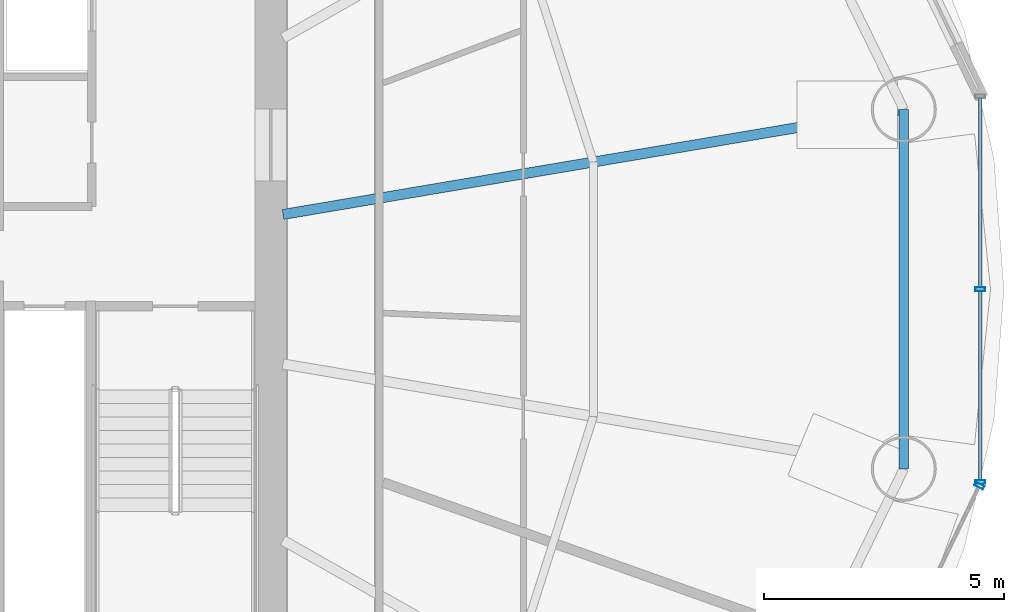
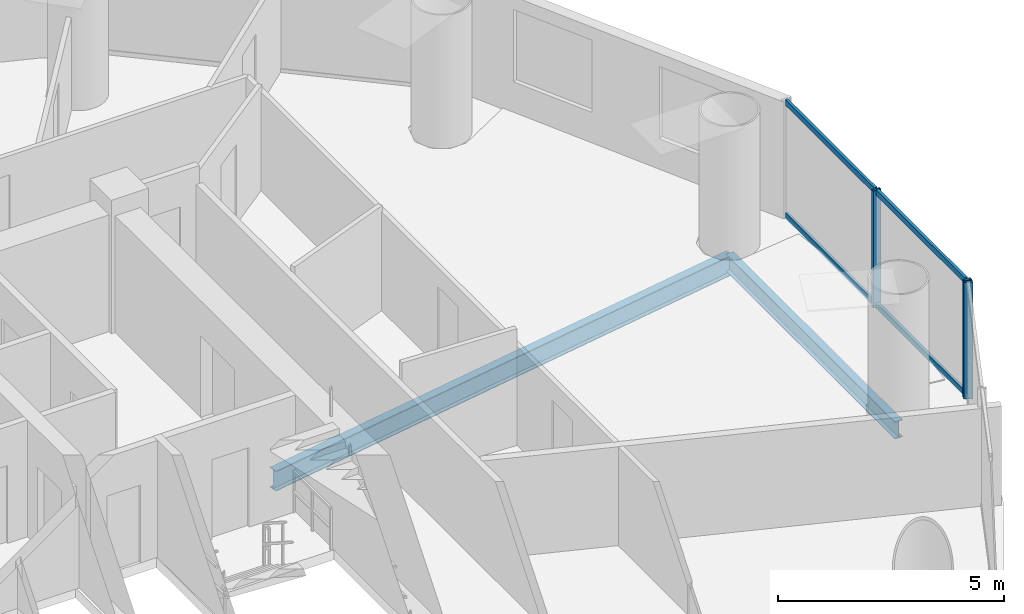
# One storey, part 12 of 26: 7 members, 2 beams, 2 elements without a shape of their own.
"""IFC4 building model written with IfcOpenShell, lengths in metres."""

from ifc_helpers import new_model, si_unit, direction, frame, origin, origin_2d, place, context, subcontext, project, spatial, hollow_rectangle, i_section, extrude, source, transform, mapped, material, material_profile, profile_set, type_object, element, aggregate, save


model = new_model("IFC4")

# Units and contexts
model_context = context("Model", 3, precision=1e-05, world=origin(), true_north=direction((-0.2419218956, 0.970295726276)))
body_context = subcontext(model_context, "Body", "Model", "MODEL_VIEW")
ifc_project = project(units=[si_unit("LENGTHUNIT", "METRE"), si_unit("AREAUNIT", "SQUARE_METRE"), si_unit("VOLUMEUNIT", "CUBIC_METRE"), si_unit("PLANEANGLEUNIT", "RADIAN"), si_unit("MASSUNIT", "GRAM", prefix="KILO")], contexts=[model_context])

# Site, building, storey
site_placement = place(None, origin())
site = spatial("IfcSite", under=ifc_project, at=site_placement, CompositionType="ELEMENT")
building_placement = place(site_placement, origin())
building = spatial("IfcBuilding", under=site, at=building_placement, Name="Cobrevalo Terracotta Tower", CompositionType="ELEMENT")
storey_placement = place(building_placement, frame((0.0, 0.0, 182.199951171875)))
storey = spatial("IfcBuildingStorey", under=building, at=storey_placement, Name="L48", CompositionType="ELEMENT", Elevation=182.199951171875)

# Beams
ifc_material_1 = material(Name="Steel S355", Category="steel")
ifc_material_profile_1 = material_profile(ifc_material_1, i_section(OverallWidth=0.2109375, OverallDepth=0.5390625, WebThickness=0.01171875, FlangeThickness=0.018798828125, at=origin_2d()), Name="W 530x109")
ifc_profile_set_1 = profile_set([ifc_material_profile_1], Name="Steel S355")
beam_type_1 = type_object("IfcBeamType", Name="Structural Beam W 530x109 (Steel S355)", PredefinedType="BEAM", material=ifc_profile_set_1)
beam_1_placement = place(storey_placement, frame((60.11669921875, 30.535888671875, -0.53955078125), z_axis=(-0.986032794282, -0.166551279191, 0.0), x_axis=(0.166551279191, -0.986032794282, 0.0)))
element("IfcBeam", 1, at=beam_1_placement, inside=storey, type_object=beam_type_1, Name="L48 radial floor girder 01", PredefinedType="BEAM", context=body_context, shape_type="SweptSolid", body=[
    extrude(i_section(OverallWidth=0.2109375, OverallDepth=0.5390625, WebThickness=0.01171875, FlangeThickness=0.018798828125, at=origin_2d()), origin(), (0.0, 0.0, 1.0), 13.094482421875),
])
ifc_material_profile_2 = material_profile(ifc_material_1, i_section(OverallWidth=0.194091796875, OverallDepth=0.468994140625, WebThickness=0.011474609375, FlangeThickness=0.0205078125, at=origin_2d()), Name="W 460x106")
ifc_profile_set_2 = profile_set([ifc_material_profile_2], Name="Steel S355")
beam_type_2 = type_object("IfcBeamType", Name="Structural Spandrel W 460x106 (Steel S355)", PredefinedType="SPANDREL", material=ifc_profile_set_2)
beam_2_placement = place(storey_placement, frame((60.11669921875, 23.06396484375, -0.50439453125), z_axis=(0.0, 1.0, 0.0), x_axis=(-1.0, 0.0, 0.0)))
element("IfcBeam", 2, at=beam_2_placement, inside=storey, type_object=beam_type_2, Name="L48 perimeter ring spandrel 16", PredefinedType="SPANDREL", context=body_context, shape_type="SweptSolid", body=[
    extrude(i_section(OverallWidth=0.194091796875, OverallDepth=0.468994140625, WebThickness=0.011474609375, FlangeThickness=0.0205078125, at=origin_2d()), origin(), (0.0, 0.0, 1.0), 7.471923828125),
])

# Curtain wall, members
ifc_material_2 = material(Name="Anodized aluminium", Category="aluminium")
curtain_wall_type = type_object("IfcCurtainWallType", Name="Mid-tower high-wind unitised curtain wall CW-U2", PredefinedType="NOTDEFINED", material=ifc_material_2)
curtain_wall_1_placement = place(storey_placement, origin())
curtain_wall_1 = element("IfcCurtainWall", 3, at=curtain_wall_1_placement, inside=storey, type_object=curtain_wall_type, Name="L48 curtain wall CW-L48-S16", PredefinedType="NOTDEFINED")
ifc_material_profile_3 = material_profile(ifc_material_2, hollow_rectangle(XDim=0.074951171875, YDim=0.14990234375, WallThickness=0.00439453125, at=origin_2d()), Name="CWT 75x150")
ifc_profile_set_3 = profile_set([ifc_material_profile_3], Name="Anodized aluminium")
member_type_1 = type_object("IfcMemberType", Name="Tower unitised aluminium transom 75x150", PredefinedType="USERDEFINED", material=ifc_profile_set_3)
shared_shape_1 = source(origin(), body_context, "Body", "SweptSolid", [
    extrude(hollow_rectangle(XDim=0.074951171875, YDim=0.14990234375, WallThickness=0.00439453125, at=origin_2d()), origin(), (0.0, 0.0, 1.0), 3.931884765625),
])
member_1_placement = place(storey_placement, frame((61.70556640625, 26.840087890625, 0.050048828125), z_axis=(0.0, 1.0, 0.0), x_axis=(-1.0, 0.0, 0.0)))
member_1 = element("IfcMember", 4, at=member_1_placement, type_object=member_type_1, Name="CW-L48-S16 transom B02-T1", ObjectType="TRANSOM", PredefinedType="USERDEFINED", context=body_context, shape_type="MappedRepresentation", body=[
    mapped(shared_shape_1, transform((0.0, 0.0, 0.0), scale=1.0)),
])
member_2_placement = place(storey_placement, frame((61.70556640625, 26.840087890625, 3.10009765625), z_axis=(0.0, 1.0, 0.0), x_axis=(-1.0, 0.0, 0.0)))
member_2 = element("IfcMember", 5, at=member_2_placement, type_object=member_type_1, Name="CW-L48-S16 transom B02-T2", ObjectType="TRANSOM", PredefinedType="USERDEFINED", context=body_context, shape_type="MappedRepresentation", body=[
    mapped(shared_shape_1, transform((0.0, 0.0, 0.0), scale=1.0)),
])
shared_shape_2 = source(origin(), body_context, "Body", "SweptSolid", [
    extrude(hollow_rectangle(XDim=0.074951171875, YDim=0.14990234375, WallThickness=0.00439453125, at=origin_2d()), origin(), (0.0, 0.0, 1.0), 3.93212890625),
])
member_3_placement = place(storey_placement, frame((61.70556640625, 22.827880859375, 0.050048828125), z_axis=(0.0, 1.0, 0.0), x_axis=(-1.0, 0.0, 0.0)))
member_3 = element("IfcMember", 6, at=member_3_placement, type_object=member_type_1, Name="CW-L48-S16 transom B01-T1", ObjectType="TRANSOM", PredefinedType="USERDEFINED", context=body_context, shape_type="MappedRepresentation", body=[
    mapped(shared_shape_2, transform((0.0, 0.0, 0.0), scale=1.0)),
])
member_4_placement = place(storey_placement, frame((61.70556640625, 22.827880859375, 3.10009765625), z_axis=(0.0, 1.0, 0.0), x_axis=(-1.0, 0.0, 0.0)))
member_4 = element("IfcMember", 7, at=member_4_placement, type_object=member_type_1, Name="CW-L48-S16 transom B01-T2", ObjectType="TRANSOM", PredefinedType="USERDEFINED", context=body_context, shape_type="MappedRepresentation", body=[
    mapped(shared_shape_2, transform((0.0, 0.0, 0.0), scale=1.0)),
])

# Curtain wall, member
curtain_wall_2_placement = place(storey_placement, origin())
curtain_wall_2 = element("IfcCurtainWall", 8, at=curtain_wall_2_placement, inside=storey, type_object=curtain_wall_type, Name="L48 curtain wall CW-L48-S15", PredefinedType="NOTDEFINED")
ifc_material_profile_4 = material_profile(ifc_material_2, hollow_rectangle(XDim=0.074951171875, YDim=0.199951171875, WallThickness=0.0048828125, at=origin_2d()), Name="CWM 75x200")
ifc_profile_set_4 = profile_set([ifc_material_profile_4], Name="Anodized aluminium")
member_type_2 = type_object("IfcMemberType", Name="Lower/mid tower unitised mullion 75x200", PredefinedType="MULLION", material=ifc_profile_set_4)
shared_shape_3 = source(origin(), body_context, "Body", "SweptSolid", [
    extrude(hollow_rectangle(XDim=0.074951171875, YDim=0.199951171875, WallThickness=0.0048828125, at=origin_2d()), origin(), (0.0, 0.0, 1.0), 3.150146484375),
])
member_5_placement = place(storey_placement, frame((61.688232421875, 22.7119140625, 0.0), z_axis=(0.0, 0.0, 1.0), x_axis=(0.434209440271, 0.900811945957, 0.0)))
member_5 = element("IfcMember", 9, at=member_5_placement, type_object=member_type_2, Name="CW-L48-S15 vertical mullion 03", PredefinedType="MULLION", context=body_context, shape_type="MappedRepresentation", body=[
    mapped(shared_shape_3, transform((0.0, 0.0, 0.0), scale=1.0)),
])
aggregate(curtain_wall_2, [member_5])

# Member
member_6_placement = place(storey_placement, frame((61.70556640625, 22.7880859375, 0.0), z_axis=(0.0, 0.0, 1.0), x_axis=(0.0, 1.0, 0.0)))
member_6 = element("IfcMember", 10, at=member_6_placement, type_object=member_type_2, Name="CW-L48-S16 vertical mullion 01", PredefinedType="MULLION", context=body_context, shape_type="MappedRepresentation", body=[
    mapped(shared_shape_3, transform((0.0, 0.0, 0.0), scale=1.0)),
])

member_7_placement = place(storey_placement, frame((61.70556640625, 26.800048828125, 0.0), z_axis=(0.0, 0.0, 1.0), x_axis=(0.0, 1.0, 0.0)))
member_7 = element("IfcMember", 11, at=member_7_placement, type_object=member_type_2, Name="CW-L48-S16 vertical mullion 02", PredefinedType="MULLION", context=body_context, shape_type="MappedRepresentation", body=[
    mapped(shared_shape_3, transform((0.0, 0.0, 0.0), scale=1.0)),
])

aggregate(curtain_wall_1, [member_6, member_7, member_3, member_4, member_1, member_2])

save(model, "model.ifc")
